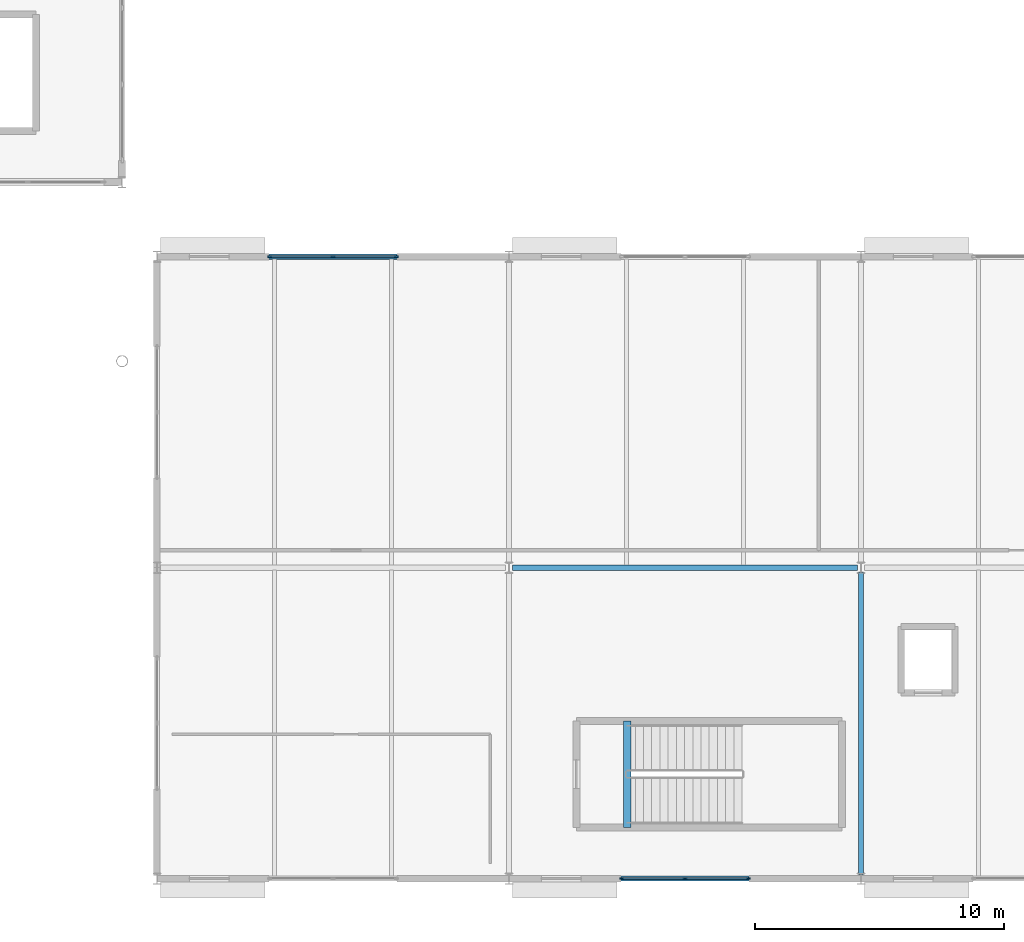
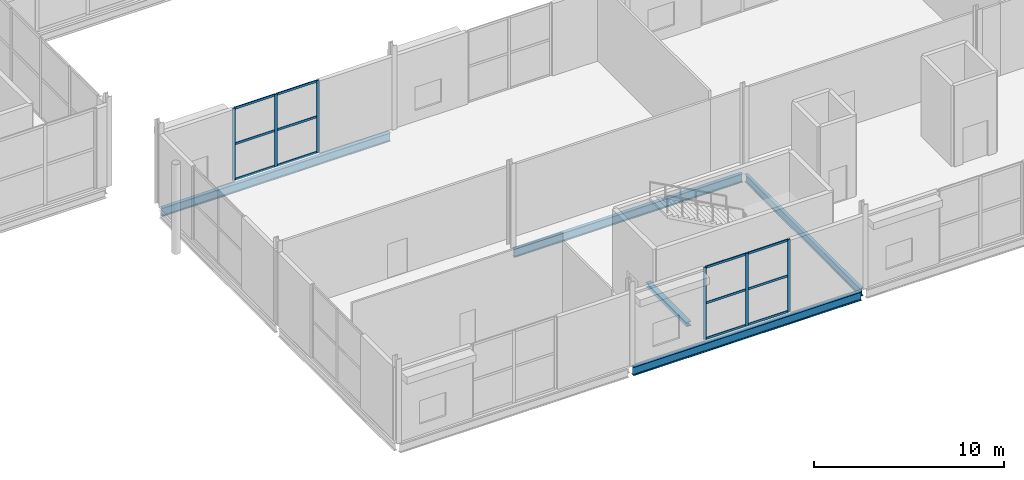
# One storey, part 39 of 84: 18 members, 5 beams, 2 elements without a shape of their own.
"""IFC4 building model written with IfcOpenShell, lengths in metres."""

from ifc_helpers import new_model, si_unit, direction, frame, origin, origin_2d, place, context, subcontext, project, spatial, rectangle, i_section, extrude, material, material_profile, profile_set, type_object, element, aggregate, save


model = new_model("IFC4")

# Units and contexts
model_context = context("Model", 3, precision=1e-05, world=origin(), true_north=direction((0.0, 1.0)))
body_context = subcontext(model_context, "Body", "Model", "MODEL_VIEW")
ifc_project = project(units=[si_unit("LENGTHUNIT", "METRE"), si_unit("AREAUNIT", "SQUARE_METRE"), si_unit("VOLUMEUNIT", "CUBIC_METRE"), si_unit("PLANEANGLEUNIT", "RADIAN"), si_unit("MASSUNIT", "GRAM", prefix="KILO")], contexts=[model_context])

# Site, building, storey
site_placement = place(None, origin())
site = spatial("IfcSite", under=ifc_project, at=site_placement, CompositionType="ELEMENT")
building_placement = place(site_placement, origin())
building = spatial("IfcBuilding", under=site, at=building_placement, Name="Kimbaza Rail Terminus", CompositionType="ELEMENT")
storey_placement = place(building_placement, frame((0.0, 0.0, 5.39990234375)))
storey = spatial("IfcBuildingStorey", under=building, at=storey_placement, Name="L01", CompositionType="ELEMENT", Elevation=5.39990234375)

# Curtain wall, members
ifc_material_1 = material(Name="Anodised aluminium framing and solar low-E glazing", Category="aluminium")
curtain_wall_type = type_object("IfcCurtainWallType", Name="ARC-CW-PV1", PredefinedType="USERDEFINED", material=ifc_material_1)
curtain_wall_1_placement = place(storey_placement, origin())
curtain_wall_1 = element("IfcCurtainWall", 1, at=curtain_wall_1_placement, inside=storey, type_object=curtain_wall_type, Name="Pavilion N Curtain Wall L01.1", ObjectType="STICK CURTAIN WALL", PredefinedType="USERDEFINED")
ifc_material_2 = material(Name="Anodised architectural aluminium", Category="aluminium")
ifc_material_profile_1 = material_profile(ifc_material_2, rectangle(XDim=0.06494140625, YDim=0.175048828125, at=origin_2d()), Name="MULLION 65x175")
ifc_profile_set_1 = profile_set([ifc_material_profile_1], Name="Anodised architectural aluminium")
member_type_1 = type_object("IfcMemberType", Name="ARC-CWM-04", PredefinedType="MULLION", material=ifc_profile_set_1)
member_1_placement = place(storey_placement, frame((161.9326171875, 38.0, 0.0), z_axis=(0.0, 0.0, 1.0), x_axis=(0.0, 1.0, 0.0)))
member_1 = element("IfcMember", 2, at=member_1_placement, type_object=member_type_1, Name="CW-04 mullion 1", PredefinedType="MULLION", context=body_context, shape_type="SweptSolid", body=[
    extrude(rectangle(XDim=0.06494140625, YDim=0.175048828125, at=origin_2d()), origin(), (0.0, 0.0, 1.0), 4.625),
])
member_2_placement = place(storey_placement, frame((164.47509765625, 38.0, 0.0), z_axis=(0.0, 0.0, 1.0), x_axis=(0.0, 1.0, 0.0)))
member_2 = element("IfcMember", 3, at=member_2_placement, type_object=member_type_1, Name="CW-04 mullion 2", PredefinedType="MULLION", context=body_context, shape_type="SweptSolid", body=[
    extrude(rectangle(XDim=0.06494140625, YDim=0.175048828125, at=origin_2d()), origin(), (0.0, 0.0, 1.0), 4.625),
])
member_3_placement = place(storey_placement, frame((167.017578125, 38.0, 0.0), z_axis=(0.0, 0.0, 1.0), x_axis=(0.0, 1.0, 0.0)))
member_3 = element("IfcMember", 4, at=member_3_placement, type_object=member_type_1, Name="CW-04 mullion 3", PredefinedType="MULLION", context=body_context, shape_type="SweptSolid", body=[
    extrude(rectangle(XDim=0.06494140625, YDim=0.175048828125, at=origin_2d()), origin(), (0.0, 0.0, 1.0), 4.625),
])

curtain_wall_2_placement = place(storey_placement, origin())
curtain_wall_2 = element("IfcCurtainWall", 5, at=curtain_wall_2_placement, inside=storey, type_object=curtain_wall_type, Name="Pavilion S Curtain Wall L01.2", ObjectType="STICK CURTAIN WALL", PredefinedType="USERDEFINED")
member_4_placement = place(storey_placement, frame((176.08251953125, 13.0, 0.0), z_axis=(0.0, 0.0, 1.0), x_axis=(0.0, 1.0, 0.0)))
member_4 = element("IfcMember", 6, at=member_4_placement, type_object=member_type_1, Name="CW-04 mullion 1", PredefinedType="MULLION", context=body_context, shape_type="SweptSolid", body=[
    extrude(rectangle(XDim=0.06494140625, YDim=0.175048828125, at=origin_2d()), origin(), (0.0, 0.0, 1.0), 4.625),
])
member_5_placement = place(storey_placement, frame((178.625, 13.0, 0.0), z_axis=(0.0, 0.0, 1.0), x_axis=(0.0, 1.0, 0.0)))
member_5 = element("IfcMember", 7, at=member_5_placement, type_object=member_type_1, Name="CW-04 mullion 2", PredefinedType="MULLION", context=body_context, shape_type="SweptSolid", body=[
    extrude(rectangle(XDim=0.06494140625, YDim=0.175048828125, at=origin_2d()), origin(), (0.0, 0.0, 1.0), 4.625),
])
member_6_placement = place(storey_placement, frame((181.16748046875, 13.0, 0.0), z_axis=(0.0, 0.0, 1.0), x_axis=(0.0, 1.0, 0.0)))
member_6 = element("IfcMember", 8, at=member_6_placement, type_object=member_type_1, Name="CW-04 mullion 3", PredefinedType="MULLION", context=body_context, shape_type="SweptSolid", body=[
    extrude(rectangle(XDim=0.06494140625, YDim=0.175048828125, at=origin_2d()), origin(), (0.0, 0.0, 1.0), 4.625),
])

# Member
ifc_material_3 = material(Name="Anodised architectural aluminium", Category="aluminium")
ifc_material_profile_2 = material_profile(ifc_material_3, rectangle(XDim=0.06494140625, YDim=0.139892578125, at=origin_2d()), Name="TRANSOM 65x140")
ifc_profile_set_2 = profile_set([ifc_material_profile_2], Name="Anodised architectural aluminium")
member_type_2 = type_object("IfcMemberType", Name="ARC-CWT-04", PredefinedType="USERDEFINED", material=ifc_profile_set_2)
member_7_placement = place(storey_placement, frame((161.965087890625, 38.0, 0.03271484375), z_axis=(1.0, 0.0, 0.0), x_axis=(0.0, 1.0, 0.0)))
member_7 = element("IfcMember", 9, at=member_7_placement, type_object=member_type_2, Name="CW-04 transom 1.1", ObjectType="TRANSOM", PredefinedType="USERDEFINED", context=body_context, shape_type="SweptSolid", body=[
    extrude(rectangle(XDim=0.06494140625, YDim=0.139892578125, at=origin_2d()), origin(), (0.0, 0.0, 1.0), 2.477294921875),
])

member_8_placement = place(storey_placement, frame((161.965087890625, 38.0, 2.3125), z_axis=(1.0, 0.0, 0.0), x_axis=(0.0, 1.0, 0.0)))
member_8 = element("IfcMember", 10, at=member_8_placement, type_object=member_type_2, Name="CW-04 transom 1.2", ObjectType="TRANSOM", PredefinedType="USERDEFINED", context=body_context, shape_type="SweptSolid", body=[
    extrude(rectangle(XDim=0.06494140625, YDim=0.139892578125, at=origin_2d()), origin(), (0.0, 0.0, 1.0), 2.477294921875),
])

member_9_placement = place(storey_placement, frame((161.965087890625, 38.0, 4.592529296875), z_axis=(1.0, 0.0, 0.0), x_axis=(0.0, 1.0, 0.0)))
member_9 = element("IfcMember", 11, at=member_9_placement, type_object=member_type_2, Name="CW-04 transom 1.3", ObjectType="TRANSOM", PredefinedType="USERDEFINED", context=body_context, shape_type="SweptSolid", body=[
    extrude(rectangle(XDim=0.06494140625, YDim=0.139892578125, at=origin_2d()), origin(), (0.0, 0.0, 1.0), 2.477294921875),
])

member_10_placement = place(storey_placement, frame((164.507568359375, 38.0, 0.03271484375), z_axis=(1.0, 0.0, 0.0), x_axis=(0.0, 1.0, 0.0)))
member_10 = element("IfcMember", 12, at=member_10_placement, type_object=member_type_2, Name="CW-04 transom 2.1", ObjectType="TRANSOM", PredefinedType="USERDEFINED", context=body_context, shape_type="SweptSolid", body=[
    extrude(rectangle(XDim=0.06494140625, YDim=0.139892578125, at=origin_2d()), origin(), (0.0, 0.0, 1.0), 2.4775390625),
])

member_11_placement = place(storey_placement, frame((164.507568359375, 38.0, 2.3125), z_axis=(1.0, 0.0, 0.0), x_axis=(0.0, 1.0, 0.0)))
member_11 = element("IfcMember", 13, at=member_11_placement, type_object=member_type_2, Name="CW-04 transom 2.2", ObjectType="TRANSOM", PredefinedType="USERDEFINED", context=body_context, shape_type="SweptSolid", body=[
    extrude(rectangle(XDim=0.06494140625, YDim=0.139892578125, at=origin_2d()), origin(), (0.0, 0.0, 1.0), 2.4775390625),
])

member_12_placement = place(storey_placement, frame((164.507568359375, 38.0, 4.592529296875), z_axis=(1.0, 0.0, 0.0), x_axis=(0.0, 1.0, 0.0)))
member_12 = element("IfcMember", 14, at=member_12_placement, type_object=member_type_2, Name="CW-04 transom 2.3", ObjectType="TRANSOM", PredefinedType="USERDEFINED", context=body_context, shape_type="SweptSolid", body=[
    extrude(rectangle(XDim=0.06494140625, YDim=0.139892578125, at=origin_2d()), origin(), (0.0, 0.0, 1.0), 2.4775390625),
])

aggregate(curtain_wall_1, [member_1, member_2, member_3, member_7, member_8, member_9, member_10, member_11, member_12])

member_13_placement = place(storey_placement, frame((176.114990234375, 13.0, 0.03271484375), z_axis=(1.0, 0.0, 0.0), x_axis=(0.0, 1.0, 0.0)))
member_13 = element("IfcMember", 15, at=member_13_placement, type_object=member_type_2, Name="CW-04 transom 1.1", ObjectType="TRANSOM", PredefinedType="USERDEFINED", context=body_context, shape_type="SweptSolid", body=[
    extrude(rectangle(XDim=0.06494140625, YDim=0.139892578125, at=origin_2d()), origin(), (0.0, 0.0, 1.0), 2.4775390625),
])

member_14_placement = place(storey_placement, frame((176.114990234375, 13.0, 2.3125), z_axis=(1.0, 0.0, 0.0), x_axis=(0.0, 1.0, 0.0)))
member_14 = element("IfcMember", 16, at=member_14_placement, type_object=member_type_2, Name="CW-04 transom 1.2", ObjectType="TRANSOM", PredefinedType="USERDEFINED", context=body_context, shape_type="SweptSolid", body=[
    extrude(rectangle(XDim=0.06494140625, YDim=0.139892578125, at=origin_2d()), origin(), (0.0, 0.0, 1.0), 2.4775390625),
])

member_15_placement = place(storey_placement, frame((176.114990234375, 13.0, 4.592529296875), z_axis=(1.0, 0.0, 0.0), x_axis=(0.0, 1.0, 0.0)))
member_15 = element("IfcMember", 17, at=member_15_placement, type_object=member_type_2, Name="CW-04 transom 1.3", ObjectType="TRANSOM", PredefinedType="USERDEFINED", context=body_context, shape_type="SweptSolid", body=[
    extrude(rectangle(XDim=0.06494140625, YDim=0.139892578125, at=origin_2d()), origin(), (0.0, 0.0, 1.0), 2.4775390625),
])

member_16_placement = place(storey_placement, frame((178.657470703125, 13.0, 0.03271484375), z_axis=(1.0, 0.0, 0.0), x_axis=(0.0, 1.0, 0.0)))
member_16 = element("IfcMember", 18, at=member_16_placement, type_object=member_type_2, Name="CW-04 transom 2.1", ObjectType="TRANSOM", PredefinedType="USERDEFINED", context=body_context, shape_type="SweptSolid", body=[
    extrude(rectangle(XDim=0.06494140625, YDim=0.139892578125, at=origin_2d()), origin(), (0.0, 0.0, 1.0), 2.4775390625),
])

member_17_placement = place(storey_placement, frame((178.657470703125, 13.0, 2.3125), z_axis=(1.0, 0.0, 0.0), x_axis=(0.0, 1.0, 0.0)))
member_17 = element("IfcMember", 19, at=member_17_placement, type_object=member_type_2, Name="CW-04 transom 2.2", ObjectType="TRANSOM", PredefinedType="USERDEFINED", context=body_context, shape_type="SweptSolid", body=[
    extrude(rectangle(XDim=0.06494140625, YDim=0.139892578125, at=origin_2d()), origin(), (0.0, 0.0, 1.0), 2.4775390625),
])

member_18_placement = place(storey_placement, frame((178.657470703125, 13.0, 4.592529296875), z_axis=(1.0, 0.0, 0.0), x_axis=(0.0, 1.0, 0.0)))
member_18 = element("IfcMember", 20, at=member_18_placement, type_object=member_type_2, Name="CW-04 transom 2.3", ObjectType="TRANSOM", PredefinedType="USERDEFINED", context=body_context, shape_type="SweptSolid", body=[
    extrude(rectangle(XDim=0.06494140625, YDim=0.139892578125, at=origin_2d()), origin(), (0.0, 0.0, 1.0), 2.4775390625),
])

aggregate(curtain_wall_2, [member_4, member_5, member_6, member_13, member_14, member_15, member_16, member_17, member_18])

# Beams
ifc_material_4 = material(Name="Steel S355", Category="steel")
ifc_material_profile_3 = material_profile(ifc_material_4, i_section(OverallWidth=0.300048828125, OverallDepth=0.2900390625, WebThickness=0.008544921875, FlangeThickness=0.013916015625, FilletRadius=0.027099609375, at=origin_2d()), Name="HEA 300")
ifc_profile_set_3 = profile_set([ifc_material_profile_3], Name="Steel S355")
beam_type_1 = type_object("IfcBeamType", Name="STR-BM-HEA300", PredefinedType="SPANDREL", material=ifc_profile_set_3)
beam_1_placement = place(storey_placement, frame((176.300048828125, 15.06005859375, -0.364990234375), z_axis=(0.0, 1.0, 0.0), x_axis=(-1.0, 0.0, 0.0)))
element("IfcBeam", 21, at=beam_1_placement, inside=storey, type_object=beam_type_1, Name="Retail Pavilion West Stair Landing Trimmer Beam L01", PredefinedType="SPANDREL", context=body_context, shape_type="SweptSolid", body=[
    extrude(i_section(OverallWidth=0.300048828125, OverallDepth=0.2900390625, WebThickness=0.008544921875, FlangeThickness=0.013916015625, FilletRadius=0.027099609375, at=origin_2d()), origin(), (0.0, 0.0, 1.0), 4.280029296875),
])
ifc_material_5 = material(Name="Steel S355", Category="steel")
ifc_material_profile_4 = material_profile(ifc_material_5, i_section(OverallWidth=0.199951171875, OverallDepth=0.5, WebThickness=0.01025390625, FlangeThickness=0.01611328125, FilletRadius=0.02099609375, at=origin_2d()), Name="IPE 500")
ifc_profile_set_4 = profile_set([ifc_material_profile_4], Name="Steel S355")
beam_type_2 = type_object("IfcBeamType", Name="STR-BM-IPE500", PredefinedType="BEAM", material=ifc_profile_set_4)
beam_2_placement = place(storey_placement, frame((185.699951171875, 13.175048828125, -0.469970703125), z_axis=(0.0, 1.0, 0.0), x_axis=(-1.0, 0.0, 0.0)))
element("IfcBeam", 22, at=beam_2_placement, inside=storey, type_object=beam_type_2, Name="Beam BM-V4Y-L01-2-0", PredefinedType="BEAM", context=body_context, shape_type="SweptSolid", body=[
    extrude(i_section(OverallWidth=0.199951171875, OverallDepth=0.5, WebThickness=0.01025390625, FlangeThickness=0.01611328125, FilletRadius=0.02099609375, at=origin_2d()), origin(), (0.0, 0.0, 1.0), 12.14990234375),
])
ifc_material_6 = material(Name="Steel S355", Category="steel")
ifc_material_profile_5 = material_profile(ifc_material_6, i_section(OverallWidth=0.2099609375, OverallDepth=0.550048828125, WebThickness=0.010986328125, FlangeThickness=0.01708984375, FilletRadius=0.02392578125, at=origin_2d()), Name="IPE 550")
ifc_profile_set_5 = profile_set([ifc_material_profile_5], Name="Steel S355")
beam_type_3 = type_object("IfcBeamType", Name="STR-BM-IPE550", PredefinedType="BEAM", material=ifc_profile_set_5)
for number, where, z_axis, x_axis, name in (
    (23, (171.696044921875, 13.0, -0.494873046875), (1.0, 0.0, 0.0), (0.0, 1.0, 0.0), "Beam BM-V4X-L01-1-0"),
    (24, (171.696044921875, 25.5, -0.494873046875), (1.0, 0.0, 0.0), (0.0, 1.0, 0.0), "Beam BM-V4X-L01-1-1"),
):
    element("IfcBeam", number, at=place(storey_placement, frame(where, z_axis=z_axis, x_axis=x_axis)), inside=storey, type_object=beam_type_3, Name=name, PredefinedType="BEAM", context=body_context, shape_type="SweptSolid", body=[
        extrude(i_section(OverallWidth=0.2099609375, OverallDepth=0.550048828125, WebThickness=0.010986328125, FlangeThickness=0.01708984375, FilletRadius=0.02392578125, at=origin_2d()), origin(), (0.0, 0.0, 1.0), 13.85791015625),
    ])
beam_3_placement = place(storey_placement, frame((157.5458984375, 38.0, -0.494873046875), z_axis=(1.0, 0.0, 0.0), x_axis=(0.0, 1.0, 0.0)))
element("IfcBeam", 25, at=beam_3_placement, inside=storey, type_object=beam_type_3, Name="Beam BM-V4X-L01-0-2", PredefinedType="BEAM", context=body_context, shape_type="SweptSolid", body=[
    extrude(i_section(OverallWidth=0.2099609375, OverallDepth=0.550048828125, WebThickness=0.010986328125, FlangeThickness=0.01708984375, FilletRadius=0.02392578125, at=origin_2d()), origin(), (0.0, 0.0, 1.0), 13.858154296875),
])

save(model, "model.ifc")
